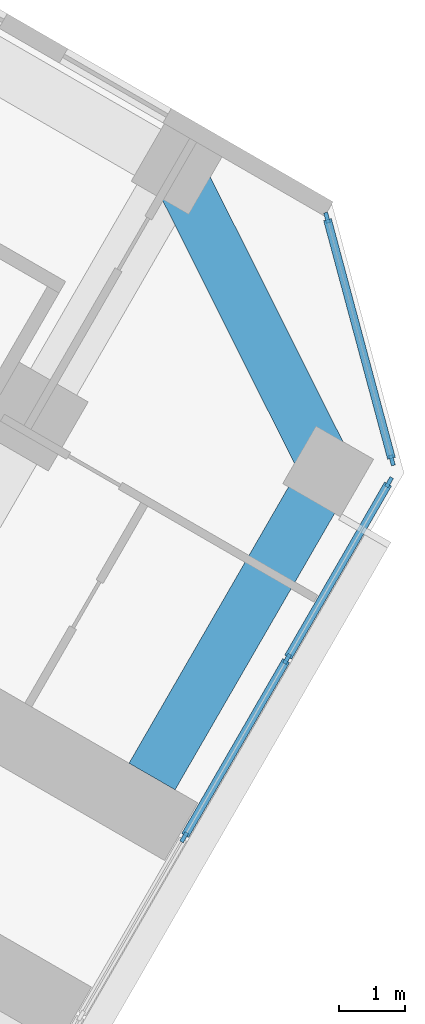
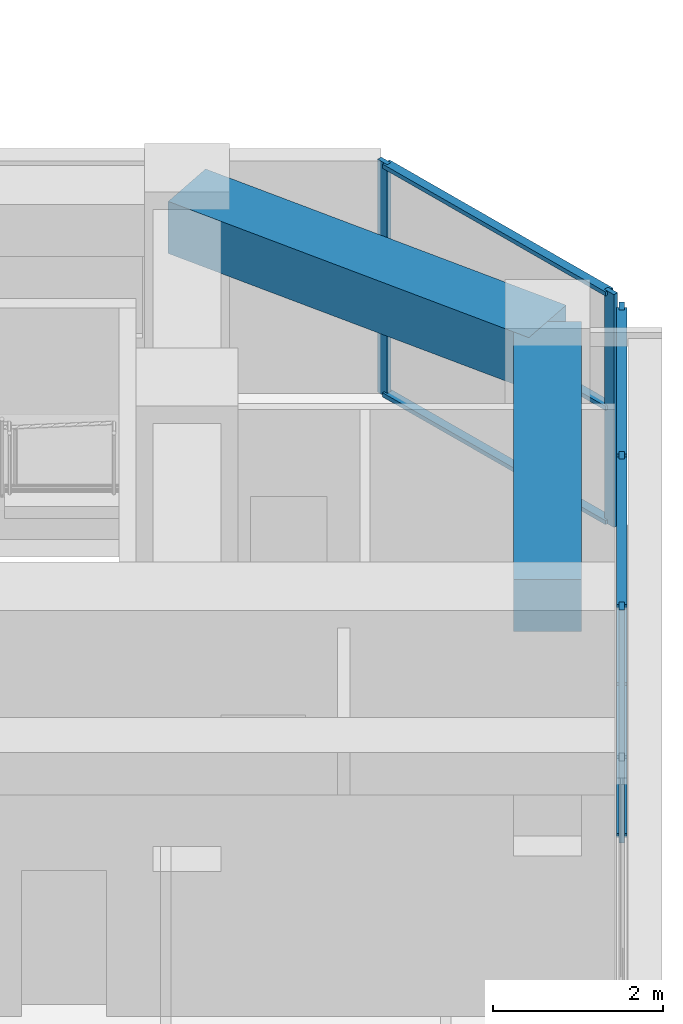
# One storey, part 8 of 21: 12 members, 2 beams, 2 elements without a shape of their own.
"""IFC4 building model written with IfcOpenShell, lengths in metres."""

import ifcopenshell
import ifcopenshell.guid

model = None  # the IFC model being written
_history = None  # IfcOwnerHistory: only IFC2X3 demands one
_inside = {}  # id of a spatial element -> (the spatial element, [elements in it])
_under = {}  # id of a project, library or spatial element -> (it, [spatial elements below it])
_declared = {}  # id of a project -> (the project, [libraries it declares])
_typed = {}  # id of a type object -> (the type object, [elements of that type])
_made_of = {}  # id of a material, layer set ... -> (it, [elements and type objects made of it])


def new_model(schema):
    """Start an empty IFC model of exactly this schema.

    Asked for "IFC4X3", IfcOpenShell would pick the latest addendum, in which some entities
    have other attributes; the version numbers below select the first issue.
    IFC2X3 requires an IfcOwnerHistory on every rooted entity: one is made here for all.
    """
    global model, _history
    if schema == "IFC4X3":
        model = ifcopenshell.file(schema_version=(4, 3, 0, 0))
    else:
        model = ifcopenshell.file(schema=schema)
    _inside.clear()
    _under.clear()
    _declared.clear()
    _typed.clear()
    _made_of.clear()
    _history = None
    if model.schema == "IFC2X3":
        org = make("IfcOrganization", Name="unknown")
        user = make(
            "IfcPersonAndOrganization",
            ThePerson=make("IfcPerson", FamilyName="unknown"),
            TheOrganization=org,
        )
        app = make(
            "IfcApplication",
            ApplicationDeveloper=org,
            Version="unknown",
            ApplicationFullName="unknown",
            ApplicationIdentifier="unknown",
        )
        _history = make(
            "IfcOwnerHistory",
            OwningUser=user,
            OwningApplication=app,
            ChangeAction="ADDED",
            CreationDate=0,
        )
    return model


def make(cls, **values):
    """One entity of the class cls with the attributes given. An attribute that is None is left unset."""
    return model.create_entity(
        cls, **{name: value for name, value in values.items() if value is not None}
    )


def rooted(cls, **values):
    """An entity with a GlobalId (a new one), such as an element, a storey or a relation."""
    return make(cls, GlobalId=ifcopenshell.guid.new(), OwnerHistory=_history, **values)


def si_unit(unit_type, name, prefix=None):
    """IfcSIUnit, for example si_unit("LENGTHUNIT", "METRE", prefix="MILLI")."""
    return make("IfcSIUnit", UnitType=unit_type, Prefix=prefix, Name=name)


def assignment(units):
    """IfcUnitAssignment: the units of a project."""
    return None if units is None else make("IfcUnitAssignment", Units=units)


def point(xyz):
    """IfcCartesianPoint."""
    return None if xyz is None else make("IfcCartesianPoint", Coordinates=xyz)


def direction(xyz):
    """IfcDirection."""
    return None if xyz is None else make("IfcDirection", DirectionRatios=xyz)


def frame(location, z_axis=None, x_axis=None):
    """IfcAxis2Placement3D, a coordinate frame: its origin and axes. An axis left out is left unset."""
    return make(
        "IfcAxis2Placement3D",
        Location=point(location),
        Axis=direction(z_axis),
        RefDirection=direction(x_axis),
    )


def frame_2d(location, x_axis=None):
    """IfcAxis2Placement2D, a coordinate frame in the plane: its origin and x axis."""
    return make(
        "IfcAxis2Placement2D", Location=point(location), RefDirection=direction(x_axis)
    )


def origin():
    """The frame at (0, 0, 0) with its axes left unset."""
    return frame((0.0, 0.0, 0.0))


def origin_2d():
    """The frame at (0, 0) in the plane with its x axis left unset."""
    return frame_2d((0.0, 0.0))


def place(relative_to, where):
    """IfcLocalPlacement: puts the frame where relative to a parent placement (None: the world)."""
    return make(
        "IfcLocalPlacement", PlacementRelTo=relative_to, RelativePlacement=where
    )


def context(
    kind, dimensions, precision=None, world=None, true_north=None, identifier=None
):
    """IfcGeometricRepresentationContext, for example the 3D "Model" context."""
    return make(
        "IfcGeometricRepresentationContext",
        ContextIdentifier=identifier,
        ContextType=kind,
        CoordinateSpaceDimension=dimensions,
        Precision=precision,
        WorldCoordinateSystem=world,
        TrueNorth=true_north,
    )


def subcontext(parent, identifier, kind, view, scale=None):
    """IfcGeometricRepresentationSubContext, for example "Body" below "Model"."""
    return make(
        "IfcGeometricRepresentationSubContext",
        ContextIdentifier=identifier,
        ContextType=kind,
        ParentContext=parent,
        TargetScale=scale,
        TargetView=view,
    )


def project(units=None, contexts=None):
    """IfcProject with its units and contexts."""
    return rooted(
        "IfcProject",
        Name="project",
        RepresentationContexts=contexts,
        UnitsInContext=assignment(units),
    )


def spatial(cls, under=None, at=None, **own):
    """A site, building, storey or space (cls), placed at a placement, below another one or the project."""
    s = rooted(cls, ObjectPlacement=at, **own)
    if under is not None:
        _under.setdefault(under.id(), (under, []))[1].append(s)
    return s


def profile(cls, at=None, kind="AREA", **sizes):
    """A parametric profile (cls). Its sizes go by their IFC names, for example OverallWidth=200.0."""
    return make(cls, ProfileType=kind, Position=at, **sizes)


def rectangle(**sizes):
    """IfcRectangleProfileDef."""
    return profile("IfcRectangleProfileDef", **sizes)


def extrude(swept, where, along, depth):
    """IfcExtrudedAreaSolid: the profile swept, set in the frame where, extruded along a direction by depth."""
    return make(
        "IfcExtrudedAreaSolid",
        SweptArea=swept,
        Position=where,
        ExtrudedDirection=direction(along),
        Depth=depth,
    )


def shape(context_of_items, identifier, shape_type, items):
    """IfcShapeRepresentation: the items that make up one representation, for example the "Body"."""
    return make(
        "IfcShapeRepresentation",
        ContextOfItems=context_of_items,
        RepresentationIdentifier=identifier,
        RepresentationType=shape_type,
        Items=items,
    )


def material(Name=None, Category=None):
    """IfcMaterial."""
    return make("IfcMaterial", Name=Name, Category=Category)


def material_profile(
    of_material, cross_section, Name=None, Category=None, Priority=None
):
    """IfcMaterialProfile: a cross section and its material."""
    return make(
        "IfcMaterialProfile",
        Name=Name,
        Material=of_material,
        Profile=cross_section,
        Priority=Priority,
        Category=Category,
    )


def profile_set(profiles, Name=None, composite=None):
    """IfcMaterialProfileSet."""
    return make(
        "IfcMaterialProfileSet",
        Name=Name,
        MaterialProfiles=profiles,
        CompositeProfile=composite,
    )


def made_of(thing, what):
    """Note that an element or type object is made of a material, layer set ...; save() writes the relation."""
    if what is not None:
        _made_of.setdefault(what.id(), (what, []))[1].append(thing)
    return thing


def type_object(cls, material=None, **own):
    """A type object (cls), such as IfcWallType, which elements share."""
    return made_of(rooted(cls, **own), material)


def element(
    cls,
    number,
    at=None,
    inside=None,
    cuts=None,
    type_object=None,
    material=None,
    context=None,
    identifier="Body",
    shape_type=None,
    held_by="IfcProductDefinitionShape",
    body=None,
    shapes=None,
    **own,
):
    """One element of the class cls, such as IfcWall. Its Tag is "e" and its number.

    at: its placement. inside: the storey or other place that contains it. cuts: it is an
    opening in that element (IfcRelVoidsElement). A single representation is given by context,
    identifier, shape_type and body (its items); several are given by shapes. held_by: the class
    of the entity that holds the representations. save() writes the other relations.
    """
    e = rooted(cls, Tag="e%d" % number, ObjectPlacement=at, **own)
    if body is not None:
        shapes = [shape(context, identifier, shape_type, body)]
    if shapes is not None:
        e.Representation = make(held_by, Representations=shapes)
    if inside is not None:
        _inside.setdefault(inside.id(), (inside, []))[1].append(e)
    if cuts is not None:
        rooted(
            "IfcRelVoidsElement", RelatingBuildingElement=cuts, RelatedOpeningElement=e
        )
    if type_object is not None:
        _typed.setdefault(type_object.id(), (type_object, []))[1].append(e)
    return made_of(e, material)


def aggregate(whole, parts):
    """IfcRelAggregates: a whole, such as a stair, and the parts it consists of."""
    return rooted("IfcRelAggregates", RelatingObject=whole, RelatedObjects=parts)


def save(model, path):
    """Write the relations noted so far, then the file.

    IfcRelAggregates (storeys below a building ...), IfcRelContainedInSpatialStructure (elements
    in a storey), IfcRelDefinesByType, IfcRelAssociatesMaterial and IfcRelDeclares: one each for
    every whole, place, type object, material and project.
    """
    for whole, parts in _under.values():
        aggregate(whole, parts)
    for where, things in _inside.values():
        rooted(
            "IfcRelContainedInSpatialStructure",
            RelatedElements=things,
            RelatingStructure=where,
        )
    for kind, things in _typed.values():
        rooted("IfcRelDefinesByType", RelatedObjects=things, RelatingType=kind)
    for what, things in _made_of.values():
        rooted("IfcRelAssociatesMaterial", RelatedObjects=things, RelatingMaterial=what)
    for by, libraries in _declared.values():
        rooted("IfcRelDeclares", RelatingContext=by, RelatedDefinitions=libraries)
    model.write(path)


model = new_model("IFC4")

# Units and contexts
model_context = context("Model", 3, precision=1e-05, world=origin(), true_north=direction((0.0, 1.0)))
body_context = subcontext(model_context, "Body", "Model", "MODEL_VIEW")
ifc_project = project(units=[si_unit("LENGTHUNIT", "METRE"), si_unit("AREAUNIT", "SQUARE_METRE"), si_unit("VOLUMEUNIT", "CUBIC_METRE"), si_unit("PLANEANGLEUNIT", "RADIAN"), si_unit("MASSUNIT", "GRAM", prefix="KILO")], contexts=[model_context])

# Site, building, storey
site_placement = place(None, origin())
site = spatial("IfcSite", under=ifc_project, at=site_placement, CompositionType="ELEMENT")
building_placement = place(site_placement, origin())
building = spatial("IfcBuilding", under=site, at=building_placement, Name="Kosmar Iwan School Tower", CompositionType="ELEMENT")
storey_placement = place(building_placement, frame((0.0, 0.0, 61.0)))
storey = spatial("IfcBuildingStorey", under=building, at=storey_placement, Name="L14", CompositionType="ELEMENT", Elevation=61.0)

# Curtain wall, members
ifc_material_1 = material(Name="Dark glass in black aluminium frame", Category="aluminium")
curtain_wall_type_1 = type_object("IfcCurtainWallType", Name="Tower curtain wall dark glass", PredefinedType="USERDEFINED", material=ifc_material_1)
curtain_wall_1_placement = place(storey_placement, origin())
curtain_wall_1 = element("IfcCurtainWall", 1, at=curtain_wall_1_placement, inside=storey, type_object=curtain_wall_type_1, Name="Curtain wall L14-F03", ObjectType="UNITISED CURTAIN WALL", PredefinedType="USERDEFINED")
ifc_material_2 = material(Name="Black anodised aluminium", Category="aluminium")
ifc_material_profile_1 = material_profile(ifc_material_2, rectangle(XDim=0.06005859375, YDim=0.159912109375, at=origin_2d()), Name="MULLION 60x160")
ifc_profile_set_1 = profile_set([ifc_material_profile_1], Name="Black anodised aluminium")
member_type_1 = type_object("IfcMemberType", Name="Mullion 60x160", PredefinedType="MULLION", material=ifc_profile_set_1)
member_1_placement = place(storey_placement, frame((30.631103515625, -15.8955078125, 0.0), z_axis=(0.0, 0.0, 1.0), x_axis=(-0.866025405329, 0.499999997325, 0.0)))
member_1 = element("IfcMember", 2, at=member_1_placement, type_object=member_type_1, Name="CW1 mullion 4", PredefinedType="MULLION", context=body_context, shape_type="SweptSolid", body=[
    extrude(rectangle(XDim=0.06005859375, YDim=0.159912109375, at=origin_2d()), origin(), (0.0, 0.0, 1.0), 3.35009765625),
])
member_2_placement = place(storey_placement, frame((32.1806640625, -13.21142578125, 0.0), z_axis=(0.0, 0.0, 1.0), x_axis=(-0.866025405329, 0.499999997325, 0.0)))
member_2 = element("IfcMember", 3, at=member_2_placement, type_object=member_type_1, Name="CW1 mullion 5", PredefinedType="MULLION", context=body_context, shape_type="SweptSolid", body=[
    extrude(rectangle(XDim=0.06005859375, YDim=0.159912109375, at=origin_2d()), origin(), (0.0, 0.0, 1.0), 3.35009765625),
])
member_3_placement = place(storey_placement, frame((33.71533203125, -10.55322265625, 0.0), z_axis=(0.0, 0.0, 1.0), x_axis=(-0.866025405329, 0.499999997325, 0.0)))
member_3 = element("IfcMember", 4, at=member_3_placement, type_object=member_type_1, Name="CW1 mullion 6", PredefinedType="MULLION", context=body_context, shape_type="SweptSolid", body=[
    extrude(rectangle(XDim=0.06005859375, YDim=0.159912109375, at=origin_2d()), origin(), (0.0, 0.0, 1.0), 3.35009765625),
])

ifc_material_3 = material(Name="Dark glass in black aluminium frame", Category="aluminium")
curtain_wall_type_2 = type_object("IfcCurtainWallType", Name="Chamfer curtain wall dark glass", PredefinedType="USERDEFINED", material=ifc_material_3)
curtain_wall_2_placement = place(storey_placement, origin())
curtain_wall_2 = element("IfcCurtainWall", 5, at=curtain_wall_2_placement, inside=storey, type_object=curtain_wall_type_2, Name="Curtain wall L14-F04", ObjectType="FACETED CURTAIN WALL", PredefinedType="USERDEFINED")
member_4_placement = place(storey_placement, frame((33.7587890625, -10.2236328125, 0.0), z_axis=(0.0, 0.0, 1.0), x_axis=(-0.965925875495, -0.258818861462, 0.0)))
member_4 = element("IfcMember", 6, at=member_4_placement, type_object=member_type_1, Name="CW2 mullion 1", PredefinedType="MULLION", context=body_context, shape_type="SweptSolid", body=[
    extrude(rectangle(XDim=0.06005859375, YDim=0.159912109375, at=origin_2d()), origin(), (0.0, 0.0, 1.0), 3.35009765625),
])
member_5_placement = place(storey_placement, frame((32.78076171875, -6.5732421875, 0.0), z_axis=(0.0, 0.0, 1.0), x_axis=(-0.965925875495, -0.258818861462, 0.0)))
member_5 = element("IfcMember", 7, at=member_5_placement, type_object=member_type_1, Name="CW2 mullion 2", PredefinedType="MULLION", context=body_context, shape_type="SweptSolid", body=[
    extrude(rectangle(XDim=0.06005859375, YDim=0.159912109375, at=origin_2d()), origin(), (0.0, 0.0, 1.0), 3.35009765625),
])

# Beams
ifc_material_4 = material(Name="Concrete C50/60", Category="concrete")
ifc_material_profile_2 = material_profile(ifc_material_4, rectangle(XDim=0.800048828125, YDim=0.75, at=origin_2d()), Name="RC 800x750")
ifc_profile_set_2 = profile_set([ifc_material_profile_2], Name="Concrete C50/60")
beam_type = type_object("IfcBeamType", Name="RC tip beam 800x750", PredefinedType="BEAM", material=ifc_profile_set_2)
beam_1_placement = place(storey_placement, frame((30.517822265625, -5.841552734375, 2.97509765625), z_axis=(0.44809604203, -0.893985423325, 0.0), x_axis=(0.893985423325, 0.44809604203, 0.0)))
element("IfcBeam", 8, at=beam_1_placement, inside=storey, type_object=beam_type, Name="Tip beam CL", PredefinedType="BEAM", context=body_context, shape_type="SweptSolid", body=[
    extrude(rectangle(XDim=0.800048828125, YDim=0.75, at=origin_2d()), origin(), (0.0, 0.0, 1.0), 5.08935546875),
])
beam_2_placement = place(storey_placement, frame((32.79833984375, -10.391357421875, 2.97509765625), z_axis=(-0.499973660256, -0.866040610509, 0.0), x_axis=(0.866040610509, -0.499973660256, 0.0)))
element("IfcBeam", 9, at=beam_2_placement, inside=storey, type_object=beam_type, Name="Tip beam CL to corridor wall", PredefinedType="BEAM", context=body_context, shape_type="SweptSolid", body=[
    extrude(rectangle(XDim=0.800048828125, YDim=0.75, at=origin_2d()), origin(), (0.0, 0.0, 1.0), 5.300048828125),
])

# Member
ifc_material_5 = material(Name="Black anodised aluminium", Category="aluminium")
ifc_material_profile_3 = material_profile(ifc_material_5, rectangle(XDim=0.1201171875, YDim=0.06005859375, at=origin_2d()), Name="TRANSOM 60x120")
ifc_profile_set_3 = profile_set([ifc_material_profile_3], Name="Black anodised aluminium")
member_type_2 = type_object("IfcMemberType", Name="Transom 60x120", PredefinedType="USERDEFINED", material=ifc_profile_set_3)
member_6_placement = place(storey_placement, frame((30.64599609375, -15.869384765625, 0.030029296875), z_axis=(0.500035348339, 0.866004994449, 0.0), x_axis=(-0.866004994449, 0.500035348339, 0.0)))
member_6 = element("IfcMember", 10, at=member_6_placement, type_object=member_type_2, Name="CW1 transom 4.1", ObjectType="TRANSOM", PredefinedType="USERDEFINED", context=body_context, shape_type="SweptSolid", body=[
    extrude(rectangle(XDim=0.1201171875, YDim=0.06005859375, at=origin_2d()), origin(), (0.0, 0.0, 1.0), 3.039306640625),
])

member_7_placement = place(storey_placement, frame((30.64599609375, -15.869384765625, 3.320068359375), z_axis=(0.500035348339, 0.866004994449, 0.0), x_axis=(-0.866004994449, 0.500035348339, 0.0)))
member_7 = element("IfcMember", 11, at=member_7_placement, type_object=member_type_2, Name="CW1 transom 4.2", ObjectType="TRANSOM", PredefinedType="USERDEFINED", context=body_context, shape_type="SweptSolid", body=[
    extrude(rectangle(XDim=0.1201171875, YDim=0.06005859375, at=origin_2d()), origin(), (0.0, 0.0, 1.0), 3.039306640625),
])

member_8_placement = place(storey_placement, frame((32.19580078125, -13.185302734375, 0.030029296875), z_axis=(0.500022102064, 0.866012642776, 0.0), x_axis=(-0.866012642776, 0.500022102064, 0.0)))
member_8 = element("IfcMember", 12, at=member_8_placement, type_object=member_type_2, Name="CW1 transom 5.1", ObjectType="TRANSOM", PredefinedType="USERDEFINED", context=body_context, shape_type="SweptSolid", body=[
    extrude(rectangle(XDim=0.1201171875, YDim=0.06005859375, at=origin_2d()), origin(), (0.0, 0.0, 1.0), 3.009033203125),
])

member_9_placement = place(storey_placement, frame((32.19580078125, -13.185302734375, 3.320068359375), z_axis=(0.500022102064, 0.866012642776, 0.0), x_axis=(-0.866012642776, 0.500022102064, 0.0)))
member_9 = element("IfcMember", 13, at=member_9_placement, type_object=member_type_2, Name="CW1 transom 5.2", ObjectType="TRANSOM", PredefinedType="USERDEFINED", context=body_context, shape_type="SweptSolid", body=[
    extrude(rectangle(XDim=0.1201171875, YDim=0.06005859375, at=origin_2d()), origin(), (0.0, 0.0, 1.0), 3.009033203125),
])

aggregate(curtain_wall_1, [member_1, member_2, member_3, member_6, member_7, member_8, member_9])

member_10_placement = place(storey_placement, frame((33.7509765625, -10.194580078125, 0.030029296875), z_axis=(-0.258843273983, 0.965919333854, 0.0), x_axis=(-0.965919333854, -0.258843273983, 0.0)))
member_10 = element("IfcMember", 14, at=member_10_placement, type_object=member_type_2, Name="CW2 transom 1.1", ObjectType="TRANSOM", PredefinedType="USERDEFINED", context=body_context, shape_type="SweptSolid", body=[
    extrude(rectangle(XDim=0.1201171875, YDim=0.06005859375, at=origin_2d()), origin(), (0.0, 0.0, 1.0), 3.718994140625),
])

member_11_placement = place(storey_placement, frame((33.7509765625, -10.194580078125, 1.675048828125), z_axis=(-0.258843273983, 0.965919333854, 0.0), x_axis=(-0.965919333854, -0.258843273983, 0.0)))
member_11 = element("IfcMember", 15, at=member_11_placement, type_object=member_type_2, Name="CW2 transom 1.2", ObjectType="TRANSOM", PredefinedType="USERDEFINED", context=body_context, shape_type="SweptSolid", body=[
    extrude(rectangle(XDim=0.1201171875, YDim=0.06005859375, at=origin_2d()), origin(), (0.0, 0.0, 1.0), 3.718994140625),
])

member_12_placement = place(storey_placement, frame((33.7509765625, -10.194580078125, 3.320068359375), z_axis=(-0.258843273983, 0.965919333854, 0.0), x_axis=(-0.965919333854, -0.258843273983, 0.0)))
member_12 = element("IfcMember", 16, at=member_12_placement, type_object=member_type_2, Name="CW2 transom 1.3", ObjectType="TRANSOM", PredefinedType="USERDEFINED", context=body_context, shape_type="SweptSolid", body=[
    extrude(rectangle(XDim=0.1201171875, YDim=0.06005859375, at=origin_2d()), origin(), (0.0, 0.0, 1.0), 3.718994140625),
])

aggregate(curtain_wall_2, [member_4, member_5, member_10, member_11, member_12])

save(model, "model.ifc")
